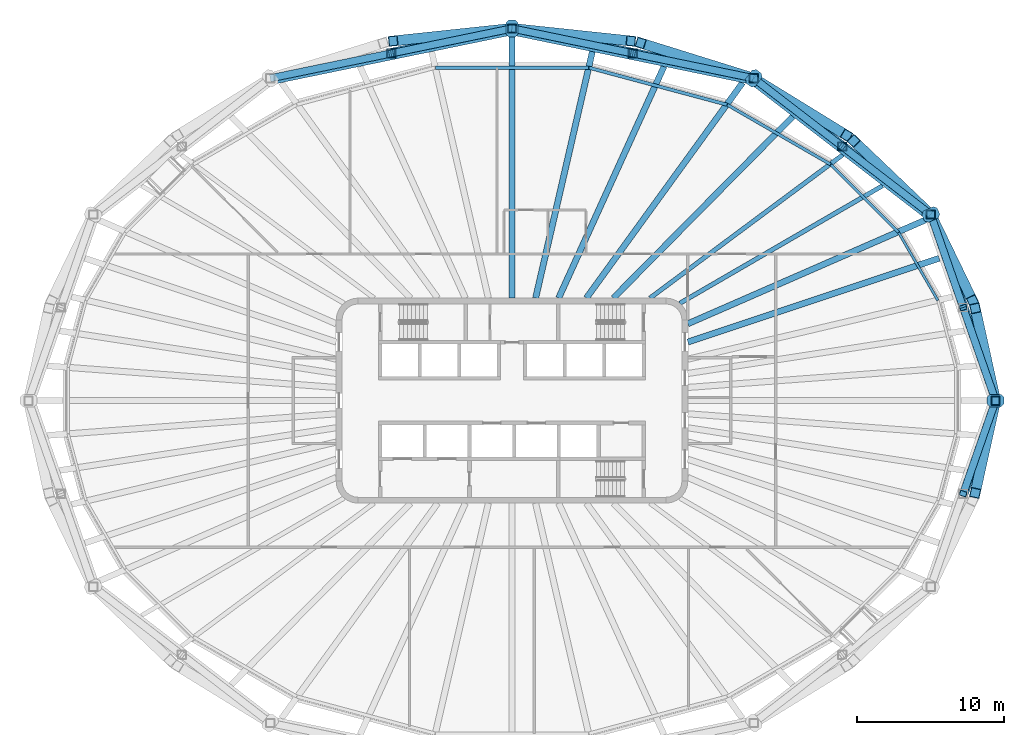
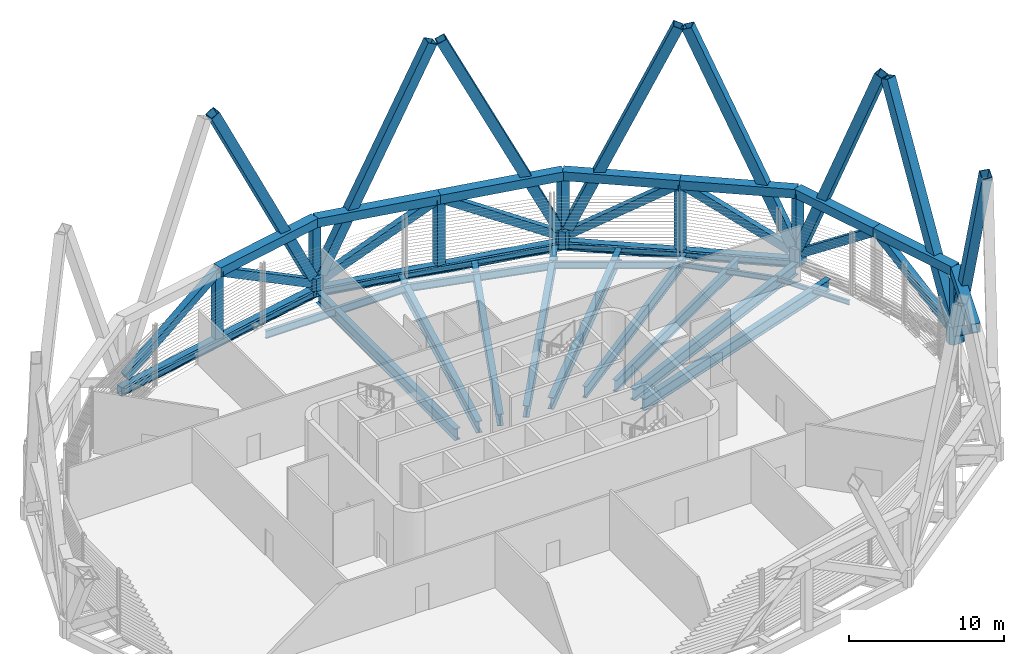
# One storey, part 4 of 17: 36 members, 20 beams.
"""IFC4 building model written with IfcOpenShell, lengths in metres."""

import ifcopenshell
import ifcopenshell.guid

model = None  # the IFC model being written
_history = None  # IfcOwnerHistory: only IFC2X3 demands one
_inside = {}  # id of a spatial element -> (the spatial element, [elements in it])
_under = {}  # id of a project, library or spatial element -> (it, [spatial elements below it])
_declared = {}  # id of a project -> (the project, [libraries it declares])
_typed = {}  # id of a type object -> (the type object, [elements of that type])
_made_of = {}  # id of a material, layer set ... -> (it, [elements and type objects made of it])


def new_model(schema):
    """Start an empty IFC model of exactly this schema.

    Asked for "IFC4X3", IfcOpenShell would pick the latest addendum, in which some entities
    have other attributes; the version numbers below select the first issue.
    IFC2X3 requires an IfcOwnerHistory on every rooted entity: one is made here for all.
    """
    global model, _history
    if schema == "IFC4X3":
        model = ifcopenshell.file(schema_version=(4, 3, 0, 0))
    else:
        model = ifcopenshell.file(schema=schema)
    _inside.clear()
    _under.clear()
    _declared.clear()
    _typed.clear()
    _made_of.clear()
    _history = None
    if model.schema == "IFC2X3":
        org = make("IfcOrganization", Name="unknown")
        user = make(
            "IfcPersonAndOrganization",
            ThePerson=make("IfcPerson", FamilyName="unknown"),
            TheOrganization=org,
        )
        app = make(
            "IfcApplication",
            ApplicationDeveloper=org,
            Version="unknown",
            ApplicationFullName="unknown",
            ApplicationIdentifier="unknown",
        )
        _history = make(
            "IfcOwnerHistory",
            OwningUser=user,
            OwningApplication=app,
            ChangeAction="ADDED",
            CreationDate=0,
        )
    return model


def make(cls, **values):
    """One entity of the class cls with the attributes given. An attribute that is None is left unset."""
    return model.create_entity(
        cls, **{name: value for name, value in values.items() if value is not None}
    )


def rooted(cls, **values):
    """An entity with a GlobalId (a new one), such as an element, a storey or a relation."""
    return make(cls, GlobalId=ifcopenshell.guid.new(), OwnerHistory=_history, **values)


def si_unit(unit_type, name, prefix=None):
    """IfcSIUnit, for example si_unit("LENGTHUNIT", "METRE", prefix="MILLI")."""
    return make("IfcSIUnit", UnitType=unit_type, Prefix=prefix, Name=name)


def assignment(units):
    """IfcUnitAssignment: the units of a project."""
    return None if units is None else make("IfcUnitAssignment", Units=units)


def point(xyz):
    """IfcCartesianPoint."""
    return None if xyz is None else make("IfcCartesianPoint", Coordinates=xyz)


def direction(xyz):
    """IfcDirection."""
    return None if xyz is None else make("IfcDirection", DirectionRatios=xyz)


def frame(location, z_axis=None, x_axis=None):
    """IfcAxis2Placement3D, a coordinate frame: its origin and axes. An axis left out is left unset."""
    return make(
        "IfcAxis2Placement3D",
        Location=point(location),
        Axis=direction(z_axis),
        RefDirection=direction(x_axis),
    )


def frame_2d(location, x_axis=None):
    """IfcAxis2Placement2D, a coordinate frame in the plane: its origin and x axis."""
    return make(
        "IfcAxis2Placement2D", Location=point(location), RefDirection=direction(x_axis)
    )


def origin():
    """The frame at (0, 0, 0) with its axes left unset."""
    return frame((0.0, 0.0, 0.0))


def origin_2d():
    """The frame at (0, 0) in the plane with its x axis left unset."""
    return frame_2d((0.0, 0.0))


def place(relative_to, where):
    """IfcLocalPlacement: puts the frame where relative to a parent placement (None: the world)."""
    return make(
        "IfcLocalPlacement", PlacementRelTo=relative_to, RelativePlacement=where
    )


def context(
    kind, dimensions, precision=None, world=None, true_north=None, identifier=None
):
    """IfcGeometricRepresentationContext, for example the 3D "Model" context."""
    return make(
        "IfcGeometricRepresentationContext",
        ContextIdentifier=identifier,
        ContextType=kind,
        CoordinateSpaceDimension=dimensions,
        Precision=precision,
        WorldCoordinateSystem=world,
        TrueNorth=true_north,
    )


def subcontext(parent, identifier, kind, view, scale=None):
    """IfcGeometricRepresentationSubContext, for example "Body" below "Model"."""
    return make(
        "IfcGeometricRepresentationSubContext",
        ContextIdentifier=identifier,
        ContextType=kind,
        ParentContext=parent,
        TargetScale=scale,
        TargetView=view,
    )


def project(units=None, contexts=None):
    """IfcProject with its units and contexts."""
    return rooted(
        "IfcProject",
        Name="project",
        RepresentationContexts=contexts,
        UnitsInContext=assignment(units),
    )


def spatial(cls, under=None, at=None, **own):
    """A site, building, storey or space (cls), placed at a placement, below another one or the project."""
    s = rooted(cls, ObjectPlacement=at, **own)
    if under is not None:
        _under.setdefault(under.id(), (under, []))[1].append(s)
    return s


def polyline(points):
    """IfcPolyline through the points."""
    return make("IfcPolyline", Points=[point(p) for p in points])


def profile(cls, at=None, kind="AREA", **sizes):
    """A parametric profile (cls). Its sizes go by their IFC names, for example OverallWidth=200.0."""
    return make(cls, ProfileType=kind, Position=at, **sizes)


def hollow_rectangle(**sizes):
    """IfcRectangleHollowProfileDef."""
    return profile("IfcRectangleHollowProfileDef", **sizes)


def i_section(**sizes):
    """IfcIShapeProfileDef."""
    return profile("IfcIShapeProfileDef", **sizes)


def outline(outer, holes=None, kind="AREA"):
    """IfcArbitraryClosedProfileDef: a profile drawn as a closed curve; with holes, ...WithVoids."""
    if holes is None:
        return make("IfcArbitraryClosedProfileDef", ProfileType=kind, OuterCurve=outer)
    return make(
        "IfcArbitraryProfileDefWithVoids",
        ProfileType=kind,
        OuterCurve=outer,
        InnerCurves=holes,
    )


def extrude(swept, where, along, depth):
    """IfcExtrudedAreaSolid: the profile swept, set in the frame where, extruded along a direction by depth."""
    return make(
        "IfcExtrudedAreaSolid",
        SweptArea=swept,
        Position=where,
        ExtrudedDirection=direction(along),
        Depth=depth,
    )


def shape(context_of_items, identifier, shape_type, items):
    """IfcShapeRepresentation: the items that make up one representation, for example the "Body"."""
    return make(
        "IfcShapeRepresentation",
        ContextOfItems=context_of_items,
        RepresentationIdentifier=identifier,
        RepresentationType=shape_type,
        Items=items,
    )


def material(Name=None, Category=None):
    """IfcMaterial."""
    return make("IfcMaterial", Name=Name, Category=Category)


def material_profile(
    of_material, cross_section, Name=None, Category=None, Priority=None
):
    """IfcMaterialProfile: a cross section and its material."""
    return make(
        "IfcMaterialProfile",
        Name=Name,
        Material=of_material,
        Profile=cross_section,
        Priority=Priority,
        Category=Category,
    )


def profile_set(profiles, Name=None, composite=None):
    """IfcMaterialProfileSet."""
    return make(
        "IfcMaterialProfileSet",
        Name=Name,
        MaterialProfiles=profiles,
        CompositeProfile=composite,
    )


def made_of(thing, what):
    """Note that an element or type object is made of a material, layer set ...; save() writes the relation."""
    if what is not None:
        _made_of.setdefault(what.id(), (what, []))[1].append(thing)
    return thing


def type_object(cls, material=None, **own):
    """A type object (cls), such as IfcWallType, which elements share."""
    return made_of(rooted(cls, **own), material)


def element(
    cls,
    number,
    at=None,
    inside=None,
    cuts=None,
    type_object=None,
    material=None,
    context=None,
    identifier="Body",
    shape_type=None,
    held_by="IfcProductDefinitionShape",
    body=None,
    shapes=None,
    **own,
):
    """One element of the class cls, such as IfcWall. Its Tag is "e" and its number.

    at: its placement. inside: the storey or other place that contains it. cuts: it is an
    opening in that element (IfcRelVoidsElement). A single representation is given by context,
    identifier, shape_type and body (its items); several are given by shapes. held_by: the class
    of the entity that holds the representations. save() writes the other relations.
    """
    e = rooted(cls, Tag="e%d" % number, ObjectPlacement=at, **own)
    if body is not None:
        shapes = [shape(context, identifier, shape_type, body)]
    if shapes is not None:
        e.Representation = make(held_by, Representations=shapes)
    if inside is not None:
        _inside.setdefault(inside.id(), (inside, []))[1].append(e)
    if cuts is not None:
        rooted(
            "IfcRelVoidsElement", RelatingBuildingElement=cuts, RelatedOpeningElement=e
        )
    if type_object is not None:
        _typed.setdefault(type_object.id(), (type_object, []))[1].append(e)
    return made_of(e, material)


def aggregate(whole, parts):
    """IfcRelAggregates: a whole, such as a stair, and the parts it consists of."""
    return rooted("IfcRelAggregates", RelatingObject=whole, RelatedObjects=parts)


def save(model, path):
    """Write the relations noted so far, then the file.

    IfcRelAggregates (storeys below a building ...), IfcRelContainedInSpatialStructure (elements
    in a storey), IfcRelDefinesByType, IfcRelAssociatesMaterial and IfcRelDeclares: one each for
    every whole, place, type object, material and project.
    """
    for whole, parts in _under.values():
        aggregate(whole, parts)
    for where, things in _inside.values():
        rooted(
            "IfcRelContainedInSpatialStructure",
            RelatedElements=things,
            RelatingStructure=where,
        )
    for kind, things in _typed.values():
        rooted("IfcRelDefinesByType", RelatedObjects=things, RelatingType=kind)
    for what, things in _made_of.values():
        rooted("IfcRelAssociatesMaterial", RelatedObjects=things, RelatingMaterial=what)
    for by, libraries in _declared.values():
        rooted("IfcRelDeclares", RelatingContext=by, RelatedDefinitions=libraries)
    model.write(path)


model = new_model("IFC4")

# Units and contexts
model_context = context("Model", 3, precision=1e-05, world=origin(), true_north=direction((0.0, 1.0)))
body_context = subcontext(model_context, "Body", "Model", "MODEL_VIEW")
ifc_project = project(units=[si_unit("LENGTHUNIT", "METRE"), si_unit("AREAUNIT", "SQUARE_METRE"), si_unit("VOLUMEUNIT", "CUBIC_METRE"), si_unit("PLANEANGLEUNIT", "RADIAN"), si_unit("MASSUNIT", "GRAM", prefix="KILO")], contexts=[model_context])

# Site, building, storey
site_placement = place(None, origin())
site = spatial("IfcSite", under=ifc_project, at=site_placement, CompositionType="ELEMENT")
building_placement = place(site_placement, origin())
building = spatial("IfcBuilding", under=site, at=building_placement, Name="Sahrelin Media Tower", CompositionType="ELEMENT")
storey_placement = place(building_placement, frame((0.0, 0.0, 249.60009765625)))
storey = spatial("IfcBuildingStorey", under=building, at=storey_placement, Name="L54", CompositionType="ELEMENT", Elevation=249.60009765625)

# Members
ifc_material_1 = material(Name="Steel S460", Category="steel")
ifc_material_profile_1 = material_profile(ifc_material_1, hollow_rectangle(XDim=0.699951171875, YDim=0.699951171875, WallThickness=0.044921875, at=origin_2d()), Name="Belt truss chord BC")
ifc_profile_set_1 = profile_set([ifc_material_profile_1], Name="Steel S460")
member_type_1 = type_object("IfcMemberType", Name="Belt truss chord BC", PredefinedType="CHORD", material=ifc_profile_set_1)
member_1_placement = place(storey_placement, frame((33.0, 0.0, 4.89990234375), z_axis=(-0.328781145791, 0.944406140478, 0.0), x_axis=(-0.944406140478, -0.328781145791, 0.0)))
element("IfcMember", 1, at=member_1_placement, inside=storey, type_object=member_type_1, Name="Belt truss member BT12-00-T1", PredefinedType="CHORD", context=body_context, shape_type="SweptSolid", body=[
    extrude(hollow_rectangle(XDim=0.699951171875, YDim=0.699951171875, WallThickness=0.044921875, at=origin_2d()), origin(), (0.0, 0.0, 1.0), 6.723876953125),
])
member_2_placement = place(storey_placement, frame((30.789306640625, 6.35009765625, 4.89990234375), z_axis=(-0.328760034477, 0.944413489808, 0.0), x_axis=(-0.944413489808, -0.328760034477, 0.0)))
element("IfcMember", 2, at=member_2_placement, inside=storey, type_object=member_type_1, Name="Belt truss member BT12-00-T2", PredefinedType="CHORD", context=body_context, shape_type="SweptSolid", body=[
    extrude(hollow_rectangle(XDim=0.699951171875, YDim=0.699951171875, WallThickness=0.044921875, at=origin_2d()), origin(), (0.0, 0.0, 1.0), 6.7236328125),
])
for number, where, z_axis, x_axis, name in (
    (3, (28.578857421875, 12.699951171875, 4.89990234375), (-0.792457239739, 0.60992747371, 0.0), (-0.60992747371, -0.792457239739, 0.0), "Belt truss member BT12-01-T1"),
    (4, (22.539306640625, 17.348388671875, 4.89990234375), (-0.792429838397, 0.609963073651, 0.0), (-0.609963073651, -0.792429838397, 0.0), "Belt truss member BT12-01-T2"),
):
    element("IfcMember", number, at=place(storey_placement, frame(where, z_axis=z_axis, x_axis=x_axis)), inside=storey, type_object=member_type_1, Name=name, PredefinedType="CHORD", context=body_context, shape_type="SweptSolid", body=[
        extrude(hollow_rectangle(XDim=0.699951171875, YDim=0.699951171875, WallThickness=0.044921875, at=origin_2d()), origin(), (0.0, 0.0, 1.0), 7.621337890625),
    ])
for number, where, z_axis, x_axis, name in (
    (5, (16.5, 21.9970703125, 4.89990234375), (-0.979389305257, 0.201981654484, 0.0), (-0.201981654484, -0.979389305257, 0.0), "Belt truss member BT12-02-T1"),
    (6, (8.25, 23.698486328125, 4.89990234375), (-0.979389305257, 0.201981654484, 0.0), (-0.201981654484, -0.979389305257, 0.0), "Belt truss member BT12-02-T2"),
    (7, (0.0, 25.39990234375, 4.89990234375), (-0.979389305257, -0.201981654484, 0.0), (0.201981654484, -0.979389305257, 0.0), "Belt truss member BT12-03-T1"),
):
    element("IfcMember", number, at=place(storey_placement, frame(where, z_axis=z_axis, x_axis=x_axis)), inside=storey, type_object=member_type_1, Name=name, PredefinedType="CHORD", context=body_context, shape_type="SweptSolid", body=[
        extrude(hollow_rectangle(XDim=0.699951171875, YDim=0.699951171875, WallThickness=0.044921875, at=origin_2d()), origin(), (0.0, 0.0, 1.0), 8.423583984375),
    ])
member_3_placement = place(storey_placement, frame((30.789306640625, -6.35009765625, 4.89990234375), z_axis=(0.328781145791, 0.944406140478, 0.0), x_axis=(-0.944406140478, 0.328781145791, 0.0)))
element("IfcMember", 8, at=member_3_placement, inside=storey, type_object=member_type_1, Name="Belt truss member BT12-11-T2", PredefinedType="CHORD", context=body_context, shape_type="SweptSolid", body=[
    extrude(hollow_rectangle(XDim=0.699951171875, YDim=0.699951171875, WallThickness=0.044921875, at=origin_2d()), origin(), (0.0, 0.0, 1.0), 6.723876953125),
])
ifc_material_profile_2 = material_profile(ifc_material_1, hollow_rectangle(XDim=0.5, YDim=0.60009765625, WallThickness=0.030029296875, at=origin_2d()), Name="Belt truss diagonal BD")
ifc_profile_set_2 = profile_set([ifc_material_profile_2], Name="Steel S460")
member_type_2 = type_object("IfcMemberType", Name="Belt truss diagonal BD", PredefinedType="BRACE", material=ifc_profile_set_2)
member_4_placement = place(storey_placement, frame((32.85205078125, 0.425048828125, 0.327880859375), z_axis=(-0.265714094981, 0.763240072329, 0.588948734373), x_axis=(-0.944404888511, -0.328784741977, 0.0)))
element("IfcMember", 9, at=member_4_placement, inside=storey, type_object=member_type_2, Name="Belt truss member BT12-00-X1", PredefinedType="BRACE", context=body_context, shape_type="SweptSolid", body=[
    extrude(hollow_rectangle(XDim=0.5, YDim=0.60009765625, WallThickness=0.030029296875, at=origin_2d()), origin(), (0.0, 0.0, 1.0), 7.762939453125),
])
member_5_placement = place(storey_placement, frame((28.718994140625, 12.297119140625, 0.310791015625), z_axis=(0.265701703145, -0.763234408833, 0.588961664388), x_axis=(0.944408891997, 0.328773242093, 0.0)))
element("IfcMember", 10, at=member_5_placement, inside=storey, type_object=member_type_2, Name="Belt truss member BT12-00-X2", PredefinedType="BRACE", context=body_context, shape_type="SweptSolid", body=[
    extrude(hollow_rectangle(XDim=0.5, YDim=0.60009765625, WallThickness=0.030029296875, at=origin_2d()), origin(), (0.0, 0.0, 1.0), 7.791748046875),
])
member_6_placement = place(storey_placement, frame((28.19580078125, 12.994873046875, 0.310791015625), z_axis=(-0.666582719866, 0.513034790481, 0.540798281554), x_axis=(-0.609919013166, -0.79246375146, 0.0)))
element("IfcMember", 11, at=member_6_placement, inside=storey, type_object=member_type_2, Name="Belt truss member BT12-01-X1", PredefinedType="BRACE", context=body_context, shape_type="SweptSolid", body=[
    extrude(hollow_rectangle(XDim=0.5, YDim=0.60009765625, WallThickness=0.030029296875, at=origin_2d()), origin(), (0.0, 0.0, 1.0), 8.48583984375),
])
member_7_placement = place(storey_placement, frame((16.8369140625, 21.73779296875, 0.273193359375), z_axis=(0.666545033767, -0.513071591476, 0.54080981868), x_axis=(0.609968142805, 0.792425936453, 0.0)))
element("IfcMember", 12, at=member_7_placement, inside=storey, type_object=member_type_2, Name="Belt truss member BT12-01-X2", PredefinedType="BRACE", context=body_context, shape_type="SweptSolid", body=[
    extrude(hollow_rectangle(XDim=0.5, YDim=0.60009765625, WallThickness=0.030029296875, at=origin_2d()), origin(), (0.0, 0.0, 1.0), 8.55517578125),
])
member_8_placement = place(storey_placement, frame((16.039794921875, 22.091796875, 0.273193359375), z_axis=(-0.846572862427, 0.174610461893, 0.502817636126), x_axis=(-0.202003671134, -0.979384764456, 0.0)))
element("IfcMember", 13, at=member_8_placement, inside=storey, type_object=member_type_2, Name="Belt truss member BT12-02-X1", PredefinedType="BRACE", context=body_context, shape_type="SweptSolid", body=[
    extrude(hollow_rectangle(XDim=0.5, YDim=0.60009765625, WallThickness=0.030029296875, at=origin_2d()), origin(), (0.0, 0.0, 1.0), 9.20166015625),
])
for number, where, z_axis, x_axis, name in (
    (14, (0.425048828125, 25.312255859375, 0.252197265625), (0.846570292379, -0.174591420942, 0.502828574959), (0.201983129901, 0.979389000977, 0.0), "Belt truss member BT12-02-X2"),
    (15, (-0.425048828125, 25.312255859375, 0.252197265625), (-0.846570292379, -0.174591420942, 0.502828574959), (0.201983129901, -0.979389000977, 0.0), "Belt truss member BT12-03-X1"),
):
    element("IfcMember", number, at=place(storey_placement, frame(where, z_axis=z_axis, x_axis=x_axis)), inside=storey, type_object=member_type_2, Name=name, PredefinedType="BRACE", context=body_context, shape_type="SweptSolid", body=[
        extrude(hollow_rectangle(XDim=0.5, YDim=0.60009765625, WallThickness=0.030029296875, at=origin_2d()), origin(), (0.0, 0.0, 1.0), 9.2431640625),
    ])
member_9_placement = place(storey_placement, frame((-16.039794921875, 22.091796875, 0.273193359375), z_axis=(0.846572862427, 0.174610461893, 0.502817636126), x_axis=(-0.202003671134, 0.979384764456, 0.0)))
element("IfcMember", 16, at=member_9_placement, inside=storey, type_object=member_type_2, Name="Belt truss member BT12-03-X2", PredefinedType="BRACE", context=body_context, shape_type="SweptSolid", body=[
    extrude(hollow_rectangle(XDim=0.5, YDim=0.60009765625, WallThickness=0.030029296875, at=origin_2d()), origin(), (0.0, 0.0, 1.0), 9.20166015625),
])
member_10_placement = place(storey_placement, frame((32.85205078125, -0.425048828125, 0.327880859375), z_axis=(-0.265714094981, -0.763240072329, 0.588948734373), x_axis=(0.944404888511, -0.328784741977, 0.0)))
element("IfcMember", 17, at=member_10_placement, inside=storey, type_object=member_type_2, Name="Belt truss member BT12-11-X2", PredefinedType="BRACE", context=body_context, shape_type="SweptSolid", body=[
    extrude(hollow_rectangle(XDim=0.5, YDim=0.60009765625, WallThickness=0.030029296875, at=origin_2d()), origin(), (0.0, 0.0, 1.0), 7.762939453125),
])
ifc_material_profile_3 = material_profile(ifc_material_1, hollow_rectangle(XDim=0.60009765625, YDim=0.60009765625, WallThickness=0.034912109375, at=origin_2d()), Name="Belt truss post BP")
ifc_profile_set_3 = profile_set([ifc_material_profile_3], Name="Steel S460")
member_type_3 = type_object("IfcMemberType", Name="Belt truss post BP", PredefinedType="POST", material=ifc_profile_set_3)
for number, where, z_axis, x_axis, name in (
    (18, (33.0, 0.0, 0.699951171875), (0.0, 0.0, 1.0), (1.0, 0.0, 0.0), "Belt truss member BT12-00-P0"),
    (19, (28.578857421875, 12.699951171875, 0.699951171875), (0.0, 0.0, 1.0), (1.0, 0.0, 0.0), "Belt truss member BT12-01-P0"),
):
    element("IfcMember", number, at=place(storey_placement, frame(where, z_axis=z_axis, x_axis=x_axis)), inside=storey, type_object=member_type_3, Name=name, PredefinedType="POST", context=body_context, shape_type="SweptSolid", body=[
        extrude(hollow_rectangle(XDim=0.60009765625, YDim=0.60009765625, WallThickness=0.034912109375, at=origin_2d()), origin(), (0.0, 0.0, 1.0), 4.199951171875),
    ])
member_11_placement = place(storey_placement, frame((22.539306640625, 17.348388671875, -0.320068359375), z_axis=(0.0, 0.0, 1.0), x_axis=(1.0, 0.0, 0.0)))
element("IfcMember", 20, at=member_11_placement, inside=storey, type_object=member_type_3, Name="Belt truss member BT12-01-P1", PredefinedType="POST", context=body_context, shape_type="SweptSolid", body=[
    extrude(hollow_rectangle(XDim=0.60009765625, YDim=0.60009765625, WallThickness=0.034912109375, at=origin_2d()), origin(), (0.0, 0.0, 1.0), 5.219970703125),
])
member_12_placement = place(storey_placement, frame((16.5, 21.9970703125, 0.699951171875), z_axis=(0.0, 0.0, 1.0), x_axis=(1.0, 0.0, 0.0)))
element("IfcMember", 21, at=member_12_placement, inside=storey, type_object=member_type_3, Name="Belt truss member BT12-02-P0", PredefinedType="POST", context=body_context, shape_type="SweptSolid", body=[
    extrude(hollow_rectangle(XDim=0.60009765625, YDim=0.60009765625, WallThickness=0.034912109375, at=origin_2d()), origin(), (0.0, 0.0, 1.0), 4.199951171875),
])
member_13_placement = place(storey_placement, frame((8.25, 23.698486328125, -0.320068359375), z_axis=(0.0, 0.0, 1.0), x_axis=(1.0, 0.0, 0.0)))
element("IfcMember", 22, at=member_13_placement, inside=storey, type_object=member_type_3, Name="Belt truss member BT12-02-P1", PredefinedType="POST", context=body_context, shape_type="SweptSolid", body=[
    extrude(hollow_rectangle(XDim=0.60009765625, YDim=0.60009765625, WallThickness=0.034912109375, at=origin_2d()), origin(), (0.0, 0.0, 1.0), 5.219970703125),
])
member_14_placement = place(storey_placement, frame((0.0, 25.39990234375, 0.699951171875), z_axis=(0.0, 0.0, 1.0), x_axis=(1.0, 0.0, 0.0)))
element("IfcMember", 23, at=member_14_placement, inside=storey, type_object=member_type_3, Name="Belt truss member BT12-03-P0", PredefinedType="POST", context=body_context, shape_type="SweptSolid", body=[
    extrude(hollow_rectangle(XDim=0.60009765625, YDim=0.60009765625, WallThickness=0.034912109375, at=origin_2d()), origin(), (0.0, 0.0, 1.0), 4.199951171875),
])
member_15_placement = place(storey_placement, frame((-8.25, 23.698486328125, -0.320068359375), z_axis=(0.0, 0.0, 1.0), x_axis=(1.0, 0.0, 0.0)))
element("IfcMember", 24, at=member_15_placement, inside=storey, type_object=member_type_3, Name="Belt truss member BT12-03-P1", PredefinedType="POST", context=body_context, shape_type="SweptSolid", body=[
    extrude(hollow_rectangle(XDim=0.60009765625, YDim=0.60009765625, WallThickness=0.034912109375, at=origin_2d()), origin(), (0.0, 0.0, 1.0), 5.219970703125),
])
ifc_material_profile_4 = material_profile(ifc_material_1, hollow_rectangle(XDim=0.699951171875, YDim=0.699951171875, WallThickness=0.0400390625, at=origin_2d()), Name="Diagrid diagonal DG7")
ifc_profile_set_4 = profile_set([ifc_material_profile_4], Name="Steel S460")
member_type_4 = type_object("IfcMemberType", Name="Diagrid diagonal DG7", PredefinedType="BRACE", material=ifc_profile_set_4)
member_16_placement = place(storey_placement, frame((32.941650390625, 0.26416015625, 0.699951171875), z_axis=(-0.077697733001, 0.351995353517, 0.932771318914), x_axis=(-0.97649359469, -0.215546420824, 0.0)))
element("IfcMember", 25, at=member_16_placement, inside=storey, type_object=member_type_4, Name="Diagrid diagonal D12-00", PredefinedType="BRACE", context=body_context, shape_type="SweptSolid", body=[
    extrude(hollow_rectangle(XDim=0.699951171875, YDim=0.699951171875, WallThickness=0.0400390625, at=origin_2d()), origin(), (0.0, 0.0, 1.0), 17.153076171875),
])
member_17_placement = place(storey_placement, frame((28.698486328125, 12.453125, 0.699951171875), z_axis=(0.159013041273, -0.328227240841, 0.931118537607), x_axis=(0.899951232615, 0.435990572047, 0.0)))
element("IfcMember", 26, at=member_17_placement, inside=storey, type_object=member_type_4, Name="Diagrid diagonal D12-01", PredefinedType="BRACE", context=body_context, shape_type="SweptSolid", body=[
    extrude(hollow_rectangle(XDim=0.699951171875, YDim=0.699951171875, WallThickness=0.0400390625, at=origin_2d()), origin(), (0.0, 0.0, 1.0), 17.18359375),
])
member_18_placement = place(storey_placement, frame((28.3583984375, 12.910888671875, 0.699951171875), z_axis=(-0.288838753904, 0.276039709891, 0.916719287899), x_axis=(-0.690907792114, -0.722942890411, 0.0)))
element("IfcMember", 27, at=member_18_placement, inside=storey, type_object=member_type_4, Name="Diagrid diagonal D12-02", PredefinedType="BRACE", context=body_context, shape_type="SweptSolid", body=[
    extrude(hollow_rectangle(XDim=0.699951171875, YDim=0.699951171875, WallThickness=0.0400390625, at=origin_2d()), origin(), (0.0, 0.0, 1.0), 17.45361328125),
])
member_19_placement = place(storey_placement, frame((16.765380859375, 21.833740234375, 0.699951171875), z_axis=(0.346360805513, -0.213035733311, 0.913591795463), x_axis=(0.523902311709, 0.851778356021, 0.0)))
element("IfcMember", 28, at=member_19_placement, inside=storey, type_object=member_type_4, Name="Diagrid diagonal D12-03", PredefinedType="BRACE", context=body_context, shape_type="SweptSolid", body=[
    extrude(hollow_rectangle(XDim=0.699951171875, YDim=0.699951171875, WallThickness=0.0400390625, at=origin_2d()), origin(), (0.0, 0.0, 1.0), 17.51318359375),
])
member_20_placement = place(storey_placement, frame((16.17626953125, 22.097900390625, 0.699951171875), z_axis=(-0.416167398768, 0.129759635405, 0.899981740494), x_axis=(-0.297663275597, -0.954670924644, 0.0)))
element("IfcMember", 29, at=member_20_placement, inside=storey, type_object=member_type_4, Name="Diagrid diagonal D12-04", PredefinedType="BRACE", context=body_context, shape_type="SweptSolid", body=[
    extrude(hollow_rectangle(XDim=0.699951171875, YDim=0.699951171875, WallThickness=0.0400390625, at=origin_2d()), origin(), (0.0, 0.0, 1.0), 17.778076171875),
])
for number, where, z_axis, x_axis, name in (
    (30, (0.340087890625, 25.364013671875, 0.699951171875), (0.436551406628, -0.046175024732, 0.898493592889), (0.105185491563, 0.994452619467, 0.0), "Diagrid diagonal D12-05"),
    (31, (-0.340087890625, 25.364013671875, 0.699951171875), (-0.436551406628, -0.046175024732, 0.898493592889), (0.105185491563, -0.994452619467, 0.0), "Diagrid diagonal D12-06"),
):
    element("IfcMember", number, at=place(storey_placement, frame(where, z_axis=z_axis, x_axis=x_axis)), inside=storey, type_object=member_type_4, Name=name, PredefinedType="BRACE", context=body_context, shape_type="SweptSolid", body=[
        extrude(hollow_rectangle(XDim=0.699951171875, YDim=0.699951171875, WallThickness=0.0400390625, at=origin_2d()), origin(), (0.0, 0.0, 1.0), 17.8076171875),
    ])
member_21_placement = place(storey_placement, frame((32.941650390625, -0.26416015625, 0.699951171875), z_axis=(-0.077697733001, -0.351995353517, 0.932771318914), x_axis=(0.97649359469, -0.215546420824, 0.0)))
element("IfcMember", 32, at=member_21_placement, inside=storey, type_object=member_type_4, Name="Diagrid diagonal D12-23", PredefinedType="BRACE", context=body_context, shape_type="SweptSolid", body=[
    extrude(hollow_rectangle(XDim=0.699951171875, YDim=0.699951171875, WallThickness=0.0400390625, at=origin_2d()), origin(), (0.0, 0.0, 1.0), 17.153076171875),
])
ifc_material_profile_5 = material_profile(ifc_material_1, outline(polyline([(0.375, -0.425048828125), (0.574951171875, -0.22509765625), (0.574951171875, 0.22509765625), (0.375, 0.425048828125), (-0.375, 0.425048828125), (-0.574951171875, 0.22509765625), (-0.574951171875, -0.22509765625), (-0.375, -0.425048828125), (0.375, -0.425048828125)])), Name="Diagrid node block 1150")
ifc_profile_set_5 = profile_set([ifc_material_profile_5], Name="Steel S460")
member_type_5 = type_object("IfcMemberType", Name="Diagrid node block 1150", PredefinedType="USERDEFINED", material=ifc_profile_set_5)
for number, where, z_axis, x_axis, name in (
    (33, (33.0, 0.0, -0.7001953125), (0.0, 0.0, 1.0), (1.0, 0.0, 0.0), "Diagrid node N12-00"),
    (34, (28.578857421875, 12.699951171875, -0.7001953125), (0.0, 0.0, 1.0), (0.913831317054, 0.40609398416, 0.0), "Diagrid node N12-01"),
    (35, (16.5, 21.9970703125, -0.7001953125), (0.0, 0.0, 1.0), (0.600051693363, 0.799961227368, 0.0), "Diagrid node N12-02"),
    (36, (0.0, 25.39990234375, -0.7001953125), (0.0, 0.0, 1.0), (0.0, 1.0, 0.0), "Diagrid node N12-03"),
):
    element("IfcMember", number, at=place(storey_placement, frame(where, z_axis=z_axis, x_axis=x_axis)), inside=storey, type_object=member_type_5, Name=name, ObjectType="NODE", PredefinedType="USERDEFINED", context=body_context, shape_type="SweptSolid", body=[
        extrude(outline(polyline([(0.375, -0.425048828125), (0.574951171875, -0.22509765625), (0.574951171875, 0.22509765625), (0.375, 0.425048828125), (-0.375, 0.425048828125), (-0.574951171875, 0.22509765625), (-0.574951171875, -0.22509765625), (-0.375, -0.425048828125), (0.375, -0.425048828125)])), origin(), (0.0, 0.0, 1.0), 1.400146484375),
    ])

# Beams
ifc_material_profile_6 = material_profile(ifc_material_1, hollow_rectangle(XDim=0.5, YDim=0.699951171875, WallThickness=0.034912109375, at=origin_2d()), Name="Diagrid ring beam RB2")
ifc_profile_set_6 = profile_set([ifc_material_profile_6], Name="Steel S460")
beam_type_1 = type_object("IfcBeamType", Name="Diagrid ring beam RB2", PredefinedType="BEAM", material=ifc_profile_set_6)
beam_1_placement = place(storey_placement, frame((28.578857421875, 12.699951171875, -0.650146484375), z_axis=(-0.792443539308, 0.609945273782, 0.0), x_axis=(-0.609945273782, -0.792443539308, 0.0)))
element("IfcBeam", 37, at=beam_1_placement, inside=storey, type_object=beam_type_1, Name="Diagrid ring beam RB12-01", PredefinedType="BEAM", context=body_context, shape_type="SweptSolid", body=[
    extrude(hollow_rectangle(XDim=0.5, YDim=0.699951171875, WallThickness=0.034912109375, at=origin_2d()), origin(), (0.0, 0.0, 1.0), 15.242431640625),
])
for number, where, z_axis, x_axis, name in (
    (38, (16.5, 21.9970703125, -0.650146484375), (-0.979389305257, 0.201981654484, 0.0), (-0.201981654484, -0.979389305257, 0.0), "Diagrid ring beam RB12-02"),
    (39, (0.0, 25.39990234375, -0.650146484375), (-0.979389305257, -0.201981654484, 0.0), (0.201981654484, -0.979389305257, 0.0), "Diagrid ring beam RB12-03"),
):
    element("IfcBeam", number, at=place(storey_placement, frame(where, z_axis=z_axis, x_axis=x_axis)), inside=storey, type_object=beam_type_1, Name=name, PredefinedType="BEAM", context=body_context, shape_type="SweptSolid", body=[
        extrude(hollow_rectangle(XDim=0.5, YDim=0.699951171875, WallThickness=0.034912109375, at=origin_2d()), origin(), (0.0, 0.0, 1.0), 16.84716796875),
    ])
ifc_material_2 = material(Name="Steel S355", Category="steel")
ifc_material_profile_7 = material_profile(ifc_material_2, i_section(OverallWidth=0.17138671875, OverallDepth=0.35498046875, WebThickness=0.00732421875, FlangeThickness=0.011474609375, FilletRadius=0.01025390625, at=origin_2d()), Name="UB 356x171x51")
ifc_profile_set_7 = profile_set([ifc_material_profile_7], Name="Steel S355")
beam_type_2 = type_object("IfcBeamType", Name="Edge beam EB3", PredefinedType="BEAM", material=ifc_profile_set_7)
beam_2_placement = place(storey_placement, frame((26.385009765625, 11.474853515625, -0.4775390625), z_axis=(0.500004049237, -0.866023065944, 0.0), x_axis=(0.866023065944, 0.500004049237, 0.0)))
element("IfcBeam", 40, at=beam_2_placement, inside=storey, type_object=beam_type_2, Name="Edge beam L54-23", PredefinedType="BEAM", context=body_context, shape_type="SweptSolid", body=[
    extrude(i_section(OverallWidth=0.17138671875, OverallDepth=0.35498046875, WebThickness=0.00732421875, FlangeThickness=0.011474609375, FilletRadius=0.01025390625, at=origin_2d()), origin(), (0.0, 0.0, 1.0), 5.353515625),
])
ifc_material_profile_8 = material_profile(ifc_material_2, i_section(OverallWidth=0.177978515625, OverallDepth=0.406494140625, WebThickness=0.0078125, FlangeThickness=0.0126953125, FilletRadius=0.01025390625, at=origin_2d()), Name="UB 406x178x60")
ifc_profile_set_8 = profile_set([ifc_material_profile_8], Name="Steel S355")
beam_type_3 = type_object("IfcBeamType", Name="Edge beam EB4", PredefinedType="BEAM", material=ifc_profile_set_8)
beam_3_placement = place(storey_placement, frame((21.761474609375, 16.103759765625, -0.50341796875), z_axis=(0.707106781187, -0.707106781187, 0.0), x_axis=(0.707106781187, 0.707106781187, 0.0)))
element("IfcBeam", 41, at=beam_3_placement, inside=storey, type_object=beam_type_3, Name="Edge beam L54-22", PredefinedType="BEAM", context=body_context, shape_type="SweptSolid", body=[
    extrude(i_section(OverallWidth=0.177978515625, OverallDepth=0.406494140625, WebThickness=0.0078125, FlangeThickness=0.0126953125, FilletRadius=0.01025390625, at=origin_2d()), origin(), (0.0, 0.0, 1.0), 6.513916015625),
])
ifc_material_profile_9 = material_profile(ifc_material_2, i_section(OverallWidth=0.208740234375, OverallDepth=0.5283203125, WebThickness=0.009521484375, FlangeThickness=0.01318359375, FilletRadius=0.0126953125, at=origin_2d()), Name="UB 533x210x82")
ifc_profile_set_9 = profile_set([ifc_material_profile_9], Name="Steel S355")
beam_type_4 = type_object("IfcBeamType", Name="Edge beam EB6", PredefinedType="BEAM", material=ifc_profile_set_9)
beam_4_placement = place(storey_placement, frame((14.69970703125, 20.185302734375, -0.564208984375), z_axis=(0.866020013879, -0.500009335473, 0.0), x_axis=(0.500009335473, 0.866020013879, 0.0)))
element("IfcBeam", 42, at=beam_4_placement, inside=storey, type_object=beam_type_4, Name="Edge beam L54-21", PredefinedType="BEAM", context=body_context, shape_type="SweptSolid", body=[
    extrude(i_section(OverallWidth=0.208740234375, OverallDepth=0.5283203125, WebThickness=0.009521484375, FlangeThickness=0.01318359375, FilletRadius=0.0126953125, at=origin_2d()), origin(), (0.0, 0.0, 1.0), 8.127685546875),
])
ifc_material_profile_10 = material_profile(ifc_material_2, i_section(OverallWidth=0.2275390625, OverallDepth=0.6025390625, WebThickness=0.010498046875, FlangeThickness=0.014892578125, FilletRadius=0.0126953125, at=origin_2d()), Name="UB 610x229x101")
ifc_profile_set_10 = profile_set([ifc_material_profile_10], Name="Steel S355")
beam_type_5 = type_object("IfcBeamType", Name="Edge beam EB7", PredefinedType="BEAM", material=ifc_profile_set_10)
beam_5_placement = place(storey_placement, frame((-5.231689453125, 22.72216796875, -0.601318359375), z_axis=(1.0, 0.0, 0.0), x_axis=(0.0, 1.0, 0.0)))
element("IfcBeam", 43, at=beam_5_placement, inside=storey, type_object=beam_type_5, Name="Edge beam L54-19", PredefinedType="BEAM", context=body_context, shape_type="SweptSolid", body=[
    extrude(i_section(OverallWidth=0.2275390625, OverallDepth=0.6025390625, WebThickness=0.010498046875, FlangeThickness=0.014892578125, FilletRadius=0.0126953125, at=origin_2d()), origin(), (0.0, 0.0, 1.0), 10.46337890625),
])
beam_6_placement = place(storey_placement, frame((5.260498046875, 22.71826171875, -0.601318359375), z_axis=(0.965929040414, -0.258807049527, 0.0), x_axis=(0.258807049527, 0.965929040414, 0.0)))
element("IfcBeam", 44, at=beam_6_placement, inside=storey, type_object=beam_type_5, Name="Edge beam L54-20", PredefinedType="BEAM", context=body_context, shape_type="SweptSolid", body=[
    extrude(i_section(OverallWidth=0.2275390625, OverallDepth=0.6025390625, WebThickness=0.010498046875, FlangeThickness=0.014892578125, FilletRadius=0.0126953125, at=origin_2d()), origin(), (0.0, 0.0, 1.0), 9.74462890625),
])
ifc_material_profile_11 = material_profile(ifc_material_2, i_section(OverallWidth=0.30322265625, OverallDepth=0.903076171875, WebThickness=0.01513671875, FlangeThickness=0.020263671875, FilletRadius=0.01904296875, at=origin_2d()), Name="UB 914x305x201")
ifc_profile_set_11 = profile_set([ifc_material_profile_11], Name="Steel S355")
beam_type_6 = type_object("IfcBeamType", Name="Radial primary beam PB11", PredefinedType="BEAM", material=ifc_profile_set_11)
beam_7_placement = place(storey_placement, frame((9.418701171875, 7.0, -0.751708984375), z_axis=(0.802609662198, 0.596504593567, 0.0), x_axis=(-0.596504593567, 0.802609662198, 0.0)))
element("IfcBeam", 45, at=beam_7_placement, inside=storey, type_object=beam_type_6, Name="Radial beam L54-04", PredefinedType="BEAM", context=body_context, shape_type="SweptSolid", body=[
    extrude(i_section(OverallWidth=0.30322265625, OverallDepth=0.903076171875, WebThickness=0.01513671875, FlangeThickness=0.020263671875, FilletRadius=0.01904296875, at=origin_2d()), origin(), (0.0, 0.0, 1.0), 16.376220703125),
])
ifc_material_profile_12 = material_profile(ifc_material_2, i_section(OverallWidth=0.41845703125, OverallDepth=0.911865234375, WebThickness=0.019287109375, FlangeThickness=0.031982421875, FilletRadius=0.024169921875, at=origin_2d()), Name="UB 914x419x343")
ifc_profile_set_12 = profile_set([ifc_material_profile_12], Name="Steel S355")
beam_type_7 = type_object("IfcBeamType", Name="Radial primary beam PB12", PredefinedType="BEAM", material=ifc_profile_set_12)
beam_8_placement = place(storey_placement, frame((12.0, 5.243896484375, -0.756103515625), z_axis=(0.916323308001, 0.40043925284, 0.0), x_axis=(-0.40043925284, 0.916323308001, 0.0)))
element("IfcBeam", 46, at=beam_8_placement, inside=storey, type_object=beam_type_7, Name="Radial beam L54-03", PredefinedType="BEAM", context=body_context, shape_type="SweptSolid", body=[
    extrude(i_section(OverallWidth=0.41845703125, OverallDepth=0.911865234375, WebThickness=0.019287109375, FlangeThickness=0.031982421875, FilletRadius=0.024169921875, at=origin_2d()), origin(), (0.0, 0.0, 1.0), 17.715576171875),
])
beam_9_placement = place(storey_placement, frame((5.076416015625, 7.0, -0.756103515625), z_axis=(0.58707992954, 0.809528971891, 0.0), x_axis=(-0.809528971891, 0.58707992954, 0.0)))
element("IfcBeam", 47, at=beam_9_placement, inside=storey, type_object=beam_type_7, Name="Radial beam L54-05", PredefinedType="BEAM", context=body_context, shape_type="SweptSolid", body=[
    extrude(i_section(OverallWidth=0.41845703125, OverallDepth=0.911865234375, WebThickness=0.019287109375, FlangeThickness=0.031982421875, FilletRadius=0.024169921875, at=origin_2d()), origin(), (0.0, 0.0, 1.0), 18.158447265625),
])
beam_10_placement = place(storey_placement, frame((1.61181640625, 7.0, -0.756103515625), z_axis=(0.224368617712, 0.974504347546, 0.0), x_axis=(-0.974504347546, 0.224368617712, 0.0)))
element("IfcBeam", 48, at=beam_10_placement, inside=storey, type_object=beam_type_7, Name="Radial beam L54-06", PredefinedType="BEAM", context=body_context, shape_type="SweptSolid", body=[
    extrude(i_section(OverallWidth=0.41845703125, OverallDepth=0.911865234375, WebThickness=0.019287109375, FlangeThickness=0.031982421875, FilletRadius=0.024169921875, at=origin_2d()), origin(), (0.0, 0.0, 1.0), 17.25439453125),
])
ifc_material_profile_13 = material_profile(ifc_material_2, i_section(OverallWidth=0.30322265625, OverallDepth=0.903076171875, WebThickness=0.01513671875, FlangeThickness=0.020263671875, FilletRadius=0.01904296875, at=origin_2d()), Name="UB 914x305x201")
ifc_profile_set_13 = profile_set([ifc_material_profile_13], Name="Steel S355")
beam_type_8 = type_object("IfcBeamType", Name="Radial secondary beam SB11", PredefinedType="BEAM", material=ifc_profile_set_13)
beam_11_placement = place(storey_placement, frame((11.45361328125, 6.642822265625, -0.751708984375), z_axis=(0.865043244327, 0.501697304602, 0.0), x_axis=(-0.501697304602, 0.865043244327, 0.0)))
element("IfcBeam", 49, at=beam_11_placement, inside=storey, type_object=beam_type_8, Name="Secondary beam L54-03", PredefinedType="BEAM", context=body_context, shape_type="SweptSolid", body=[
    extrude(i_section(OverallWidth=0.30322265625, OverallDepth=0.903076171875, WebThickness=0.01513671875, FlangeThickness=0.020263671875, FilletRadius=0.01904296875, at=origin_2d()), origin(), (0.0, 0.0, 1.0), 15.99658203125),
])
ifc_material_profile_14 = material_profile(ifc_material_2, i_section(OverallWidth=0.41845703125, OverallDepth=0.911865234375, WebThickness=0.019287109375, FlangeThickness=0.031982421875, FilletRadius=0.024169921875, at=origin_2d()), Name="UB 914x419x343")
ifc_profile_set_14 = profile_set([ifc_material_profile_14], Name="Steel S355")
beam_type_9 = type_object("IfcBeamType", Name="Radial secondary beam SB12", PredefinedType="BEAM", material=ifc_profile_set_14)
beam_12_placement = place(storey_placement, frame((12.0, 3.999755859375, -0.756103515625), z_axis=(0.948694103899, 0.316195346624, 0.0), x_axis=(-0.316195346624, 0.948694103899, 0.0)))
element("IfcBeam", 50, at=beam_12_placement, inside=storey, type_object=beam_type_9, Name="Secondary beam L54-02", PredefinedType="BEAM", context=body_context, shape_type="SweptSolid", body=[
    extrude(i_section(OverallWidth=0.41845703125, OverallDepth=0.911865234375, WebThickness=0.019287109375, FlangeThickness=0.031982421875, FilletRadius=0.024169921875, at=origin_2d()), origin(), (0.0, 0.0, 1.0), 18.07373046875),
])
beam_13_placement = place(storey_placement, frame((6.918701171875, 7.0, -0.756103515625), z_axis=(0.70295221278, 0.711237081815, 0.0), x_axis=(-0.711237081815, 0.70295221278, 0.0)))
element("IfcBeam", 51, at=beam_13_placement, inside=storey, type_object=beam_type_9, Name="Secondary beam L54-04", PredefinedType="BEAM", context=body_context, shape_type="SweptSolid", body=[
    extrude(i_section(OverallWidth=0.41845703125, OverallDepth=0.911865234375, WebThickness=0.019287109375, FlangeThickness=0.031982421875, FilletRadius=0.024169921875, at=origin_2d()), origin(), (0.0, 0.0, 1.0), 17.415771484375),
])
beam_14_placement = place(storey_placement, frame((3.183837890625, 7.0, -0.756103515625), z_axis=(0.414027507963, 0.910264369648, 0.0), x_axis=(-0.910264369648, 0.414027507963, 0.0)))
element("IfcBeam", 52, at=beam_14_placement, inside=storey, type_object=beam_type_9, Name="Secondary beam L54-05", PredefinedType="BEAM", context=body_context, shape_type="SweptSolid", body=[
    extrude(i_section(OverallWidth=0.41845703125, OverallDepth=0.911865234375, WebThickness=0.019287109375, FlangeThickness=0.031982421875, FilletRadius=0.024169921875, at=origin_2d()), origin(), (0.0, 0.0, 1.0), 17.364013671875),
])
beam_15_placement = place(storey_placement, frame((0.0, 7.0, -0.756103515625), z_axis=(0.0, 1.0, 0.0), x_axis=(-1.0, 0.0, 0.0)))
element("IfcBeam", 53, at=beam_15_placement, inside=storey, type_object=beam_type_9, Name="Secondary beam L54-06", PredefinedType="BEAM", context=body_context, shape_type="SweptSolid", body=[
    extrude(i_section(OverallWidth=0.41845703125, OverallDepth=0.911865234375, WebThickness=0.019287109375, FlangeThickness=0.031982421875, FilletRadius=0.024169921875, at=origin_2d()), origin(), (0.0, 0.0, 1.0), 17.9453125),
])
ifc_material_profile_15 = material_profile(ifc_material_2, i_section(OverallWidth=0.1904296875, OverallDepth=0.45703125, WebThickness=0.009033203125, FlangeThickness=0.014404296875, FilletRadius=0.01025390625, at=origin_2d()), Name="UB 457x191x74")
ifc_profile_set_15 = profile_set([ifc_material_profile_15], Name="Steel S355")
beam_type_10 = type_object("IfcBeamType", Name="Tie chord TC5", PredefinedType="BEAM", material=ifc_profile_set_15)
for number, where, z_axis, x_axis, name in (
    (54, (-16.350341796875, 21.67041015625, -0.528564453125), (0.979388089158, 0.201987551141, 0.0), (-0.201987551141, 0.979388089158, 0.0), "Tie chord L54-09"),
    (55, (0.0, 25.04248046875, -0.528564453125), (0.979388089158, -0.201987551141, 0.0), (0.201987551141, 0.979388089158, 0.0), "Tie chord L54-10"),
):
    element("IfcBeam", number, at=place(storey_placement, frame(where, z_axis=z_axis, x_axis=x_axis)), inside=storey, type_object=beam_type_10, Name=name, PredefinedType="BEAM", context=body_context, shape_type="SweptSolid", body=[
        extrude(i_section(OverallWidth=0.1904296875, OverallDepth=0.45703125, WebThickness=0.009033203125, FlangeThickness=0.014404296875, FilletRadius=0.01025390625, at=origin_2d()), origin(), (0.0, 0.0, 1.0), 16.6943359375),
    ])
beam_16_placement = place(storey_placement, frame((16.350341796875, 21.67041015625, -0.528564453125), z_axis=(0.792438909029, -0.609951289413, 0.0), x_axis=(0.609951289413, 0.792438909029, 0.0)))
element("IfcBeam", 56, at=beam_16_placement, inside=storey, type_object=beam_type_10, Name="Tie chord L54-11", PredefinedType="BEAM", context=body_context, shape_type="SweptSolid", body=[
    extrude(i_section(OverallWidth=0.1904296875, OverallDepth=0.45703125, WebThickness=0.009033203125, FlangeThickness=0.014404296875, FilletRadius=0.01025390625, at=origin_2d()), origin(), (0.0, 0.0, 1.0), 15.057373046875),
])

save(model, "model.ifc")
